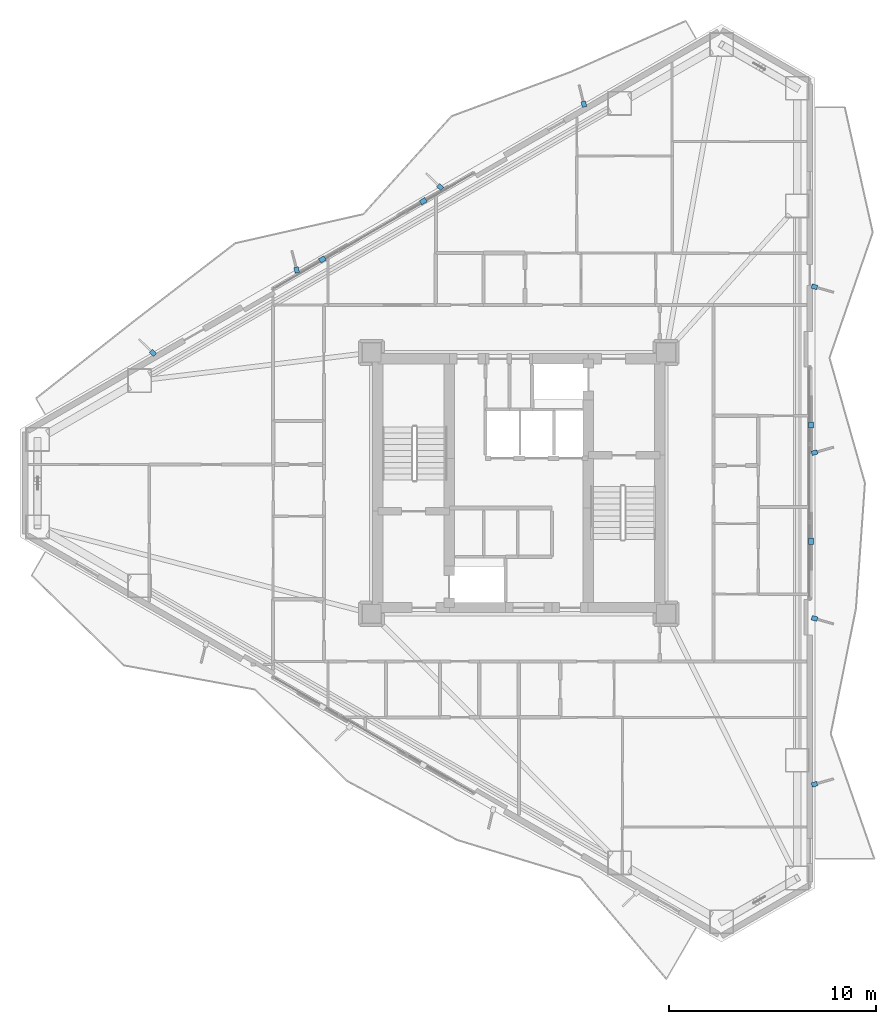
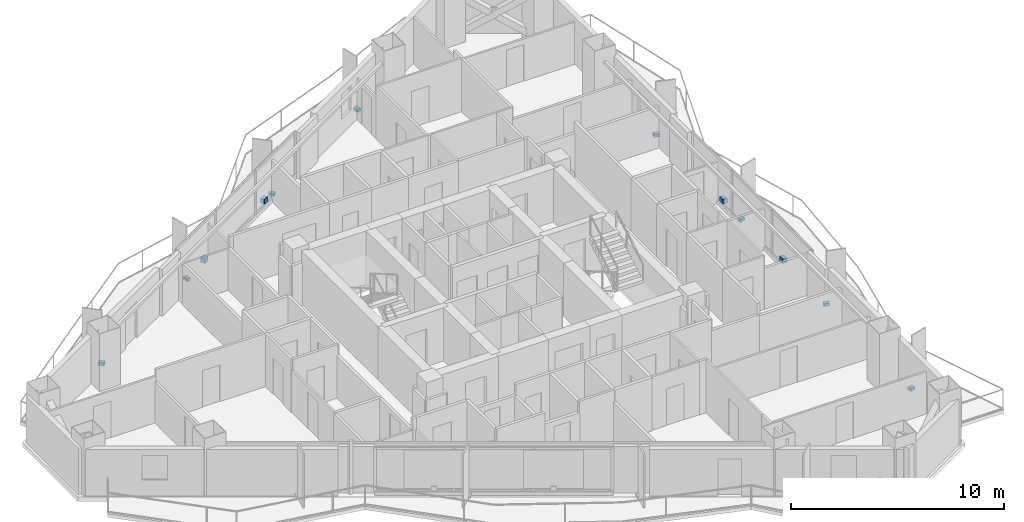
# One storey, part 21 of 23: 12 discrete accessories.
"""IFC4 building model written with IfcOpenShell, lengths in metres."""

import ifcopenshell
import ifcopenshell.guid

model = None  # the IFC model being written
_history = None  # IfcOwnerHistory: only IFC2X3 demands one
_inside = {}  # id of a spatial element -> (the spatial element, [elements in it])
_under = {}  # id of a project, library or spatial element -> (it, [spatial elements below it])
_declared = {}  # id of a project -> (the project, [libraries it declares])
_typed = {}  # id of a type object -> (the type object, [elements of that type])
_made_of = {}  # id of a material, layer set ... -> (it, [elements and type objects made of it])


def new_model(schema):
    """Start an empty IFC model of exactly this schema.

    Asked for "IFC4X3", IfcOpenShell would pick the latest addendum, in which some entities
    have other attributes; the version numbers below select the first issue.
    IFC2X3 requires an IfcOwnerHistory on every rooted entity: one is made here for all.
    """
    global model, _history
    if schema == "IFC4X3":
        model = ifcopenshell.file(schema_version=(4, 3, 0, 0))
    else:
        model = ifcopenshell.file(schema=schema)
    _inside.clear()
    _under.clear()
    _declared.clear()
    _typed.clear()
    _made_of.clear()
    _history = None
    if model.schema == "IFC2X3":
        org = make("IfcOrganization", Name="unknown")
        user = make(
            "IfcPersonAndOrganization",
            ThePerson=make("IfcPerson", FamilyName="unknown"),
            TheOrganization=org,
        )
        app = make(
            "IfcApplication",
            ApplicationDeveloper=org,
            Version="unknown",
            ApplicationFullName="unknown",
            ApplicationIdentifier="unknown",
        )
        _history = make(
            "IfcOwnerHistory",
            OwningUser=user,
            OwningApplication=app,
            ChangeAction="ADDED",
            CreationDate=0,
        )
    return model


def make(cls, **values):
    """One entity of the class cls with the attributes given. An attribute that is None is left unset."""
    return model.create_entity(
        cls, **{name: value for name, value in values.items() if value is not None}
    )


def rooted(cls, **values):
    """An entity with a GlobalId (a new one), such as an element, a storey or a relation."""
    return make(cls, GlobalId=ifcopenshell.guid.new(), OwnerHistory=_history, **values)


def si_unit(unit_type, name, prefix=None):
    """IfcSIUnit, for example si_unit("LENGTHUNIT", "METRE", prefix="MILLI")."""
    return make("IfcSIUnit", UnitType=unit_type, Prefix=prefix, Name=name)


def assignment(units):
    """IfcUnitAssignment: the units of a project."""
    return None if units is None else make("IfcUnitAssignment", Units=units)


def point(xyz):
    """IfcCartesianPoint."""
    return None if xyz is None else make("IfcCartesianPoint", Coordinates=xyz)


def direction(xyz):
    """IfcDirection."""
    return None if xyz is None else make("IfcDirection", DirectionRatios=xyz)


def frame(location, z_axis=None, x_axis=None):
    """IfcAxis2Placement3D, a coordinate frame: its origin and axes. An axis left out is left unset."""
    return make(
        "IfcAxis2Placement3D",
        Location=point(location),
        Axis=direction(z_axis),
        RefDirection=direction(x_axis),
    )


def frame_2d(location, x_axis=None):
    """IfcAxis2Placement2D, a coordinate frame in the plane: its origin and x axis."""
    return make(
        "IfcAxis2Placement2D", Location=point(location), RefDirection=direction(x_axis)
    )


def origin():
    """The frame at (0, 0, 0) with its axes left unset."""
    return frame((0.0, 0.0, 0.0))


def origin_2d():
    """The frame at (0, 0) in the plane with its x axis left unset."""
    return frame_2d((0.0, 0.0))


def place(relative_to, where):
    """IfcLocalPlacement: puts the frame where relative to a parent placement (None: the world)."""
    return make(
        "IfcLocalPlacement", PlacementRelTo=relative_to, RelativePlacement=where
    )


def context(
    kind, dimensions, precision=None, world=None, true_north=None, identifier=None
):
    """IfcGeometricRepresentationContext, for example the 3D "Model" context."""
    return make(
        "IfcGeometricRepresentationContext",
        ContextIdentifier=identifier,
        ContextType=kind,
        CoordinateSpaceDimension=dimensions,
        Precision=precision,
        WorldCoordinateSystem=world,
        TrueNorth=true_north,
    )


def subcontext(parent, identifier, kind, view, scale=None):
    """IfcGeometricRepresentationSubContext, for example "Body" below "Model"."""
    return make(
        "IfcGeometricRepresentationSubContext",
        ContextIdentifier=identifier,
        ContextType=kind,
        ParentContext=parent,
        TargetScale=scale,
        TargetView=view,
    )


def project(units=None, contexts=None):
    """IfcProject with its units and contexts."""
    return rooted(
        "IfcProject",
        Name="project",
        RepresentationContexts=contexts,
        UnitsInContext=assignment(units),
    )


def spatial(cls, under=None, at=None, **own):
    """A site, building, storey or space (cls), placed at a placement, below another one or the project."""
    s = rooted(cls, ObjectPlacement=at, **own)
    if under is not None:
        _under.setdefault(under.id(), (under, []))[1].append(s)
    return s


def profile(cls, at=None, kind="AREA", **sizes):
    """A parametric profile (cls). Its sizes go by their IFC names, for example OverallWidth=200.0."""
    return make(cls, ProfileType=kind, Position=at, **sizes)


def rectangle(**sizes):
    """IfcRectangleProfileDef."""
    return profile("IfcRectangleProfileDef", **sizes)


def extrude(swept, where, along, depth):
    """IfcExtrudedAreaSolid: the profile swept, set in the frame where, extruded along a direction by depth."""
    return make(
        "IfcExtrudedAreaSolid",
        SweptArea=swept,
        Position=where,
        ExtrudedDirection=direction(along),
        Depth=depth,
    )


def shape(context_of_items, identifier, shape_type, items):
    """IfcShapeRepresentation: the items that make up one representation, for example the "Body"."""
    return make(
        "IfcShapeRepresentation",
        ContextOfItems=context_of_items,
        RepresentationIdentifier=identifier,
        RepresentationType=shape_type,
        Items=items,
    )


def material(Name=None, Category=None):
    """IfcMaterial."""
    return make("IfcMaterial", Name=Name, Category=Category)


def layer(
    of_material, thickness, ventilated=None, Name=None, Category=None, Priority=None
):
    """IfcMaterialLayer: one layer of a wall or slab, of a material (None: an air gap)."""
    return make(
        "IfcMaterialLayer",
        Material=of_material,
        LayerThickness=thickness,
        IsVentilated=ventilated,
        Name=Name,
        Category=Category,
        Priority=Priority,
    )


def layer_set(layers, Name=None):
    """IfcMaterialLayerSet."""
    return make("IfcMaterialLayerSet", MaterialLayers=layers, LayerSetName=Name)


def made_of(thing, what):
    """Note that an element or type object is made of a material, layer set ...; save() writes the relation."""
    if what is not None:
        _made_of.setdefault(what.id(), (what, []))[1].append(thing)
    return thing


def type_object(cls, material=None, **own):
    """A type object (cls), such as IfcWallType, which elements share."""
    return made_of(rooted(cls, **own), material)


def element(
    cls,
    number,
    at=None,
    inside=None,
    cuts=None,
    type_object=None,
    material=None,
    context=None,
    identifier="Body",
    shape_type=None,
    held_by="IfcProductDefinitionShape",
    body=None,
    shapes=None,
    **own,
):
    """One element of the class cls, such as IfcWall. Its Tag is "e" and its number.

    at: its placement. inside: the storey or other place that contains it. cuts: it is an
    opening in that element (IfcRelVoidsElement). A single representation is given by context,
    identifier, shape_type and body (its items); several are given by shapes. held_by: the class
    of the entity that holds the representations. save() writes the other relations.
    """
    e = rooted(cls, Tag="e%d" % number, ObjectPlacement=at, **own)
    if body is not None:
        shapes = [shape(context, identifier, shape_type, body)]
    if shapes is not None:
        e.Representation = make(held_by, Representations=shapes)
    if inside is not None:
        _inside.setdefault(inside.id(), (inside, []))[1].append(e)
    if cuts is not None:
        rooted(
            "IfcRelVoidsElement", RelatingBuildingElement=cuts, RelatedOpeningElement=e
        )
    if type_object is not None:
        _typed.setdefault(type_object.id(), (type_object, []))[1].append(e)
    return made_of(e, material)


def aggregate(whole, parts):
    """IfcRelAggregates: a whole, such as a stair, and the parts it consists of."""
    return rooted("IfcRelAggregates", RelatingObject=whole, RelatedObjects=parts)


def save(model, path):
    """Write the relations noted so far, then the file.

    IfcRelAggregates (storeys below a building ...), IfcRelContainedInSpatialStructure (elements
    in a storey), IfcRelDefinesByType, IfcRelAssociatesMaterial and IfcRelDeclares: one each for
    every whole, place, type object, material and project.
    """
    for whole, parts in _under.values():
        aggregate(whole, parts)
    for where, things in _inside.values():
        rooted(
            "IfcRelContainedInSpatialStructure",
            RelatedElements=things,
            RelatingStructure=where,
        )
    for kind, things in _typed.values():
        rooted("IfcRelDefinesByType", RelatedObjects=things, RelatingType=kind)
    for what, things in _made_of.values():
        rooted("IfcRelAssociatesMaterial", RelatedObjects=things, RelatingMaterial=what)
    for by, libraries in _declared.values():
        rooted("IfcRelDeclares", RelatingContext=by, RelatedDefinitions=libraries)
    model.write(path)


model = new_model("IFC4")

# Units and contexts
model_context = context("Model", 3, precision=1e-05, world=origin(), true_north=direction((0.0, 1.0)))
body_context = subcontext(model_context, "Body", "Model", "MODEL_VIEW")
ifc_project = project(units=[si_unit("LENGTHUNIT", "METRE"), si_unit("AREAUNIT", "SQUARE_METRE"), si_unit("VOLUMEUNIT", "CUBIC_METRE"), si_unit("PLANEANGLEUNIT", "RADIAN"), si_unit("MASSUNIT", "GRAM", prefix="KILO")], contexts=[model_context])

# Site, building, storey
site_placement = place(None, origin())
site = spatial("IfcSite", under=ifc_project, at=site_placement, CompositionType="ELEMENT")
building_placement = place(site_placement, origin())
building = spatial("IfcBuilding", under=site, at=building_placement, Name="Mersakhor Tower and Convention Hall", CompositionType="ELEMENT")
storey_placement = place(building_placement, frame((0.0, 0.0, 80.10009765625)))
storey = spatial("IfcBuildingStorey", under=building, at=storey_placement, Name="L21", CompositionType="ELEMENT", Elevation=80.10009765625)

# Discrete accessories
ifc_material = material(Name="Galvanised steel bracket", Category="steel")
ifc_layer = layer(ifc_material, 0.02001953125)
ifc_layer_set = layer_set([ifc_layer], Name="Galvanised steel bracket")
discrete_accessory_type = type_object("IfcDiscreteAccessoryType", Name="ACC-BRK-STL", PredefinedType="BRACKET", material=ifc_layer_set)
for number, where, z_axis, x_axis, name in (
    (1, (19.5263671875, 37.5439453125, 0.2900390625), (0.0, 0.0, 1.0), (0.866025403784, 0.5, 0.0), "L21 Solar Screen Outrigger Bracket BRK-1-1"),
    (2, (24.388916015625, 40.351318359375, 0.2900390625), (0.0, 0.0, 1.0), (0.866025403784, 0.5, 0.0), "L21 Solar Screen Outrigger Bracket BRK-1-2"),
):
    element("IfcDiscreteAccessory", number, at=place(storey_placement, frame(where, z_axis=z_axis, x_axis=x_axis)), inside=storey, type_object=discrete_accessory_type, Name=name, PredefinedType="BRACKET", context=body_context, shape_type="SweptSolid", body=[
        extrude(rectangle(XDim=0.300048828125, YDim=0.239990234375, at=origin_2d()), origin(), (0.0, 0.0, 1.0), 0.260009765625),
    ])
for number, where, z_axis, x_axis, name in (
    (3, (11.355224609375, 33.0341796875, -0.02001953125), (0.0, 0.0, 1.0), (-0.719339800339, 0.694658370459, 0.0), "L21 Facade Fin Base Cleat Bracket FBRK-1-1"),
    (4, (18.283447265625, 37.0341796875, -0.02001953125), (0.0, 0.0, 1.0), (-0.2419218956, 0.970295726276, 0.0), "L21 Facade Fin Base Cleat Bracket FBRK-1-2"),
    (5, (25.211669921875, 41.0341796875, -0.02001953125), (0.0, 0.0, 1.0), (-0.719339800339, 0.694658370459, 0.0), "L21 Facade Fin Base Cleat Bracket FBRK-1-3"),
    (6, (32.139892578125, 45.0341796875, -0.02001953125), (0.0, 0.0, 1.0), (-0.2419218956, 0.970295726276, 0.0), "L21 Facade Fin Base Cleat Bracket FBRK-1-4"),
):
    element("IfcDiscreteAccessory", number, at=place(storey_placement, frame(where, z_axis=z_axis, x_axis=x_axis)), inside=storey, type_object=discrete_accessory_type, Name=name, PredefinedType="BRACKET", context=body_context, shape_type="SweptSolid", body=[
        extrude(rectangle(XDim=0.280029296875, YDim=0.219970703125, at=origin_2d()), origin(), (0.0, 0.0, 1.0), 0.159912109375),
    ])
for number, where, z_axis, x_axis, name in (
    (7, (43.084716796875, 29.557373046875, 0.2900390625), (0.0, 0.0, 1.0), (0.0, -1.0, 0.0), "L21 Solar Screen Outrigger Bracket BRK-2-1"),
    (8, (43.084716796875, 23.942626953125, 0.2900390625), (0.0, 0.0, 1.0), (0.0, -1.0, 0.0), "L21 Solar Screen Outrigger Bracket BRK-2-2"),
):
    element("IfcDiscreteAccessory", number, at=place(storey_placement, frame(where, z_axis=z_axis, x_axis=x_axis)), inside=storey, type_object=discrete_accessory_type, Name=name, PredefinedType="BRACKET", context=body_context, shape_type="SweptSolid", body=[
        extrude(rectangle(XDim=0.300048828125, YDim=0.239990234375, at=origin_2d()), origin(), (0.0, 0.0, 1.0), 0.260009765625),
    ])
for number, where, z_axis, x_axis, name in (
    (9, (43.2646484375, 36.221923828125, -0.02001953125), (0.0, 0.0, 1.0), (0.961261695938, -0.275637355817, 0.0), "L21 Facade Fin Base Cleat Bracket FBRK-2-1"),
    (10, (43.2646484375, 28.221923828125, -0.02001953125), (0.0, 0.0, 1.0), (0.961261695938, 0.275637355817, 0.0), "L21 Facade Fin Base Cleat Bracket FBRK-2-2"),
    (11, (43.2646484375, 20.221923828125, -0.02001953125), (0.0, 0.0, 1.0), (0.961261695938, -0.275637355817, 0.0), "L21 Facade Fin Base Cleat Bracket FBRK-2-3"),
    (12, (43.2646484375, 12.221923828125, -0.02001953125), (0.0, 0.0, 1.0), (0.961261695938, 0.275637355817, 0.0), "L21 Facade Fin Base Cleat Bracket FBRK-2-4"),
):
    element("IfcDiscreteAccessory", number, at=place(storey_placement, frame(where, z_axis=z_axis, x_axis=x_axis)), inside=storey, type_object=discrete_accessory_type, Name=name, PredefinedType="BRACKET", context=body_context, shape_type="SweptSolid", body=[
        extrude(rectangle(XDim=0.280029296875, YDim=0.219970703125, at=origin_2d()), origin(), (0.0, 0.0, 1.0), 0.159912109375),
    ])

save(model, "model.ifc")
